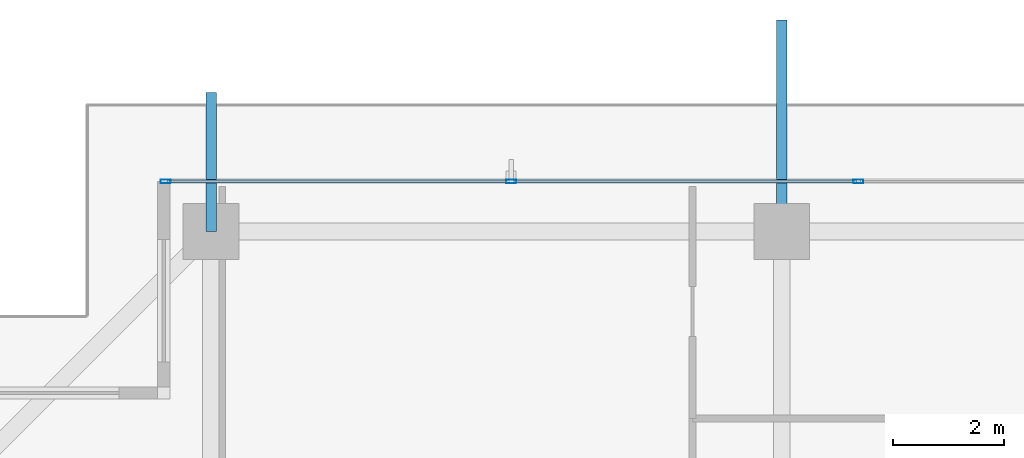
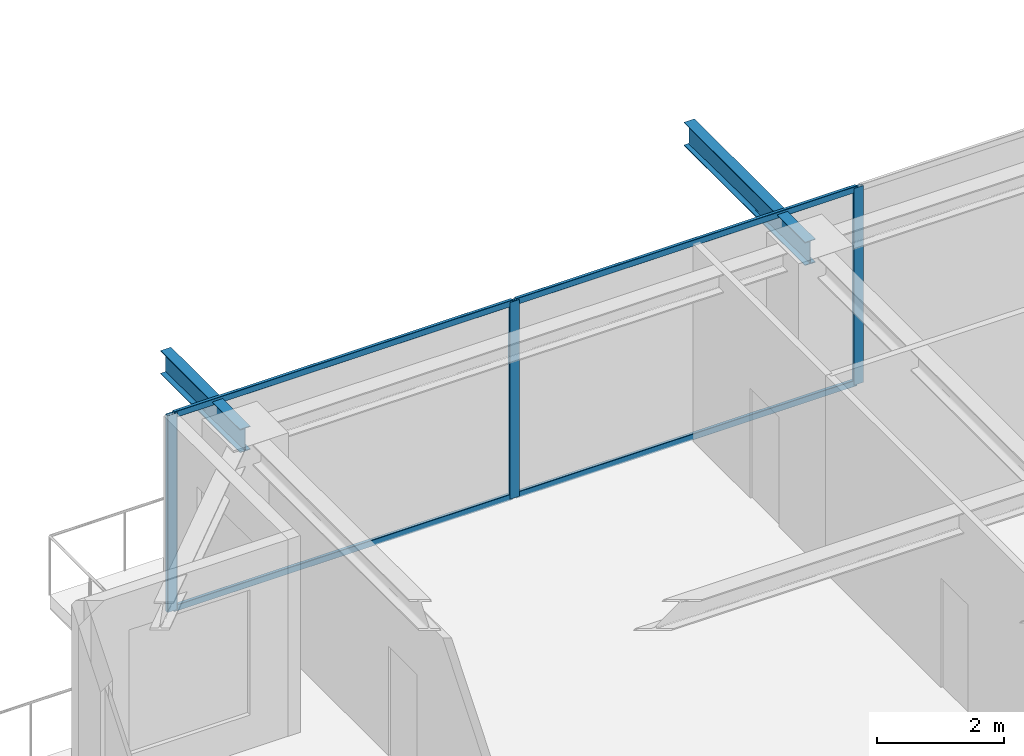
# One storey, part 23 of 42: 7 members, 2 beams, 1 element without a shape of its own.
"""IFC4 building model written with IfcOpenShell, lengths in metres."""

from ifc_helpers import new_model, si_unit, direction, frame, origin, origin_2d, place, context, subcontext, project, spatial, hollow_rectangle, i_section, extrude, source, transform, mapped, material, layer, layer_set, material_profile, profile_set, type_object, element, aggregate, save


model = new_model("IFC4")

# Units and contexts
model_context = context("Model", 3, precision=1e-05, world=origin(), true_north=direction((0.0, 1.0)))
body_context = subcontext(model_context, "Body", "Model", "MODEL_VIEW")
ifc_project = project(units=[si_unit("LENGTHUNIT", "METRE"), si_unit("AREAUNIT", "SQUARE_METRE"), si_unit("VOLUMEUNIT", "CUBIC_METRE"), si_unit("PLANEANGLEUNIT", "RADIAN"), si_unit("MASSUNIT", "GRAM", prefix="KILO")], contexts=[model_context])

# Site, building, storey
site_placement = place(None, origin())
site = spatial("IfcSite", under=ifc_project, at=site_placement, CompositionType="ELEMENT")
building_placement = place(site_placement, origin())
building = spatial("IfcBuilding", under=site, at=building_placement, Name="Serunith Strait Residences", CompositionType="ELEMENT")
storey_placement = place(building_placement, frame((0.0, 0.0, 325.85009765625)))
storey = spatial("IfcBuildingStorey", under=building, at=storey_placement, Name="L81", CompositionType="ELEMENT", Elevation=325.85009765625)

# Beams
ifc_material_1 = material(Name="Steel S355J2", Category="steel")
ifc_material_profile_1 = material_profile(ifc_material_1, i_section(OverallWidth=0.18994140625, OverallDepth=0.449951171875, WebThickness=0.009521484375, FlangeThickness=0.0146484375, FilletRadius=0.02099609375, at=origin_2d()), Name="IPE 450")
ifc_profile_set_1 = profile_set([ifc_material_profile_1], Name="Steel S355J2")
beam_type = type_object("IfcBeamType", Name="BM-IPE450", PredefinedType="JOIST", material=ifc_profile_set_1)
shared_shape_1 = source(origin(), body_context, "Body", "SweptSolid", [
    extrude(i_section(OverallWidth=0.18994140625, OverallDepth=0.449951171875, WebThickness=0.009521484375, FlangeThickness=0.0146484375, FilletRadius=0.02099609375, at=origin_2d()), origin(), (0.0, 0.0, 1.0), 3.7998046875),
])
beam_1_placement = place(storey_placement, frame((27.89990234375, 47.10009765625, 3.531982421875), z_axis=(0.0, 1.0, 0.0), x_axis=(-1.0, 0.0, 0.0)))
element("IfcBeam", 1, at=beam_1_placement, inside=storey, type_object=beam_type, Name="L82 Cantilevered Balcony Rib TC-N2", PredefinedType="JOIST", context=body_context, shape_type="MappedRepresentation", body=[
    mapped(shared_shape_1, transform((0.0, 0.0, 0.0), scale=1.0)),
])
shared_shape_2 = source(origin(), body_context, "Body", "SweptSolid", [
    extrude(i_section(OverallWidth=0.18994140625, OverallDepth=0.449951171875, WebThickness=0.009521484375, FlangeThickness=0.0146484375, FilletRadius=0.02099609375, at=origin_2d()), origin(), (0.0, 0.0, 1.0), 2.49560546875),
])
beam_2_placement = place(storey_placement, frame((17.64990234375, 47.10009765625, 3.531982421875), z_axis=(0.0, 1.0, 0.0), x_axis=(-1.0, 0.0, 0.0)))
element("IfcBeam", 2, at=beam_2_placement, inside=storey, type_object=beam_type, Name="L82 Cantilevered Balcony Rib TC-N1", PredefinedType="JOIST", context=body_context, shape_type="MappedRepresentation", body=[
    mapped(shared_shape_2, transform((0.0, 0.0, 0.0), scale=1.0)),
])

# Curtain wall, members
ifc_material_2 = material(Name="Brushed Stainless-Silver Aluminium", Category="aluminium")
ifc_layer = layer(ifc_material_2, 0.199951171875, Name="Brushed Stainless-Silver Aluminium")
ifc_layer_set = layer_set([ifc_layer], Name="Brushed Stainless-Silver Aluminium")
curtain_wall_type = type_object("IfcCurtainWallType", Name="CW-SYS5", PredefinedType="NOTDEFINED", material=ifc_layer_set)
curtain_wall_placement = place(storey_placement, origin())
curtain_wall = element("IfcCurtainWall", 3, at=curtain_wall_placement, inside=storey, type_object=curtain_wall_type, Name="L81 N Unitised Fritted Curtain Wall", PredefinedType="NOTDEFINED")
ifc_material_profile_2 = material_profile(ifc_material_2, hollow_rectangle(XDim=0.06005859375, YDim=0.1201171875, WallThickness=0.00341796875, InnerFilletRadius=0.00537109375, OuterFilletRadius=0.0087890625, at=origin_2d()), Name="ALU 120x60x3.5")
ifc_profile_set_2 = profile_set([ifc_material_profile_2], Name="Brushed Stainless-Silver Aluminium")
member_type_1 = type_object("IfcMemberType", Name="CW-SYS5-TRAN", PredefinedType="USERDEFINED", material=ifc_profile_set_2)
shared_shape_3 = source(origin(), body_context, "Body", "SweptSolid", [
    extrude(hollow_rectangle(XDim=0.06005859375, YDim=0.1201171875, WallThickness=0.00341796875, InnerFilletRadius=0.00537109375, OuterFilletRadius=0.0087890625, at=origin_2d()), origin(), (0.0, 0.0, 1.0), 6.142578125),
])
member_1_placement = place(storey_placement, frame((23.007568359375, 48.0, 0.02978515625), z_axis=(-1.0, 0.0, 0.0), x_axis=(0.0, -1.0, 0.0)))
member_1 = element("IfcMember", 4, at=member_1_placement, type_object=member_type_1, Name="CW-5 transom 5.1", ObjectType="TRANSOM", PredefinedType="USERDEFINED", context=body_context, shape_type="MappedRepresentation", body=[
    mapped(shared_shape_3, transform((0.0, 0.0, 0.0), scale=1.0)),
])
member_2_placement = place(storey_placement, frame((23.007568359375, 48.0, 3.744873046875), z_axis=(-1.0, 0.0, 0.0), x_axis=(0.0, -1.0, 0.0)))
member_2 = element("IfcMember", 5, at=member_2_placement, type_object=member_type_1, Name="CW-5 transom 5.2", ObjectType="TRANSOM", PredefinedType="USERDEFINED", context=body_context, shape_type="MappedRepresentation", body=[
    mapped(shared_shape_3, transform((0.0, 0.0, 0.0), scale=1.0)),
])
shared_shape_4 = source(origin(), body_context, "Body", "SweptSolid", [
    extrude(hollow_rectangle(XDim=0.06005859375, YDim=0.1201171875, WallThickness=0.00341796875, InnerFilletRadius=0.00537109375, OuterFilletRadius=0.0087890625, at=origin_2d()), origin(), (0.0, 0.0, 1.0), 6.175048828125),
])
member_3_placement = place(storey_placement, frame((29.24755859375, 48.0, 0.02978515625), z_axis=(-1.0, 0.0, 0.0), x_axis=(0.0, -1.0, 0.0)))
member_3 = element("IfcMember", 6, at=member_3_placement, type_object=member_type_1, Name="CW-5 transom 4.1", ObjectType="TRANSOM", PredefinedType="USERDEFINED", context=body_context, shape_type="MappedRepresentation", body=[
    mapped(shared_shape_4, transform((0.0, 0.0, 0.0), scale=1.0)),
])
member_4_placement = place(storey_placement, frame((29.24755859375, 48.0, 3.744873046875), z_axis=(-1.0, 0.0, 0.0), x_axis=(0.0, -1.0, 0.0)))
member_4 = element("IfcMember", 7, at=member_4_placement, type_object=member_type_1, Name="CW-5 transom 4.2", ObjectType="TRANSOM", PredefinedType="USERDEFINED", context=body_context, shape_type="MappedRepresentation", body=[
    mapped(shared_shape_4, transform((0.0, 0.0, 0.0), scale=1.0)),
])
ifc_material_profile_3 = material_profile(ifc_material_2, hollow_rectangle(XDim=0.06494140625, YDim=0.179931640625, WallThickness=0.00341796875, InnerFilletRadius=0.00537109375, OuterFilletRadius=0.0087890625, at=origin_2d()), Name="ALU 180x65x3.5")
ifc_profile_set_3 = profile_set([ifc_material_profile_3], Name="Brushed Stainless-Silver Aluminium")
member_type_2 = type_object("IfcMemberType", Name="CW-SYS5-MULL", PredefinedType="MULLION", material=ifc_profile_set_3)
shared_shape_5 = source(origin(), body_context, "Body", "SweptSolid", [
    extrude(hollow_rectangle(XDim=0.06494140625, YDim=0.179931640625, WallThickness=0.00341796875, InnerFilletRadius=0.00537109375, OuterFilletRadius=0.0087890625, at=origin_2d()), origin(), (0.0, 0.0, 1.0), 3.77490234375),
])
member_5_placement = place(storey_placement, frame((29.280029296875, 48.0, 0.0), z_axis=(0.0, 0.0, 1.0), x_axis=(0.0, -1.0, 0.0)))
member_5 = element("IfcMember", 8, at=member_5_placement, type_object=member_type_2, Name="CW-5 mullion 4", PredefinedType="MULLION", context=body_context, shape_type="MappedRepresentation", body=[
    mapped(shared_shape_5, transform((0.0, 0.0, 0.0), scale=1.0)),
])
member_6_placement = place(storey_placement, frame((23.0400390625, 48.0, 0.0), z_axis=(0.0, 0.0, 1.0), x_axis=(0.0, -1.0, 0.0)))
member_6 = element("IfcMember", 9, at=member_6_placement, type_object=member_type_2, Name="CW-5 mullion 5", PredefinedType="MULLION", context=body_context, shape_type="MappedRepresentation", body=[
    mapped(shared_shape_5, transform((0.0, 0.0, 0.0), scale=1.0)),
])
member_7_placement = place(storey_placement, frame((16.83251953125, 48.0, 0.0), z_axis=(0.0, 0.0, 1.0), x_axis=(0.0, -1.0, 0.0)))
member_7 = element("IfcMember", 10, at=member_7_placement, type_object=member_type_2, Name="CW-5 mullion 6", PredefinedType="MULLION", context=body_context, shape_type="MappedRepresentation", body=[
    mapped(shared_shape_5, transform((0.0, 0.0, 0.0), scale=1.0)),
])
aggregate(curtain_wall, [member_5, member_6, member_7, member_3, member_4, member_1, member_2])

save(model, "model.ifc")
